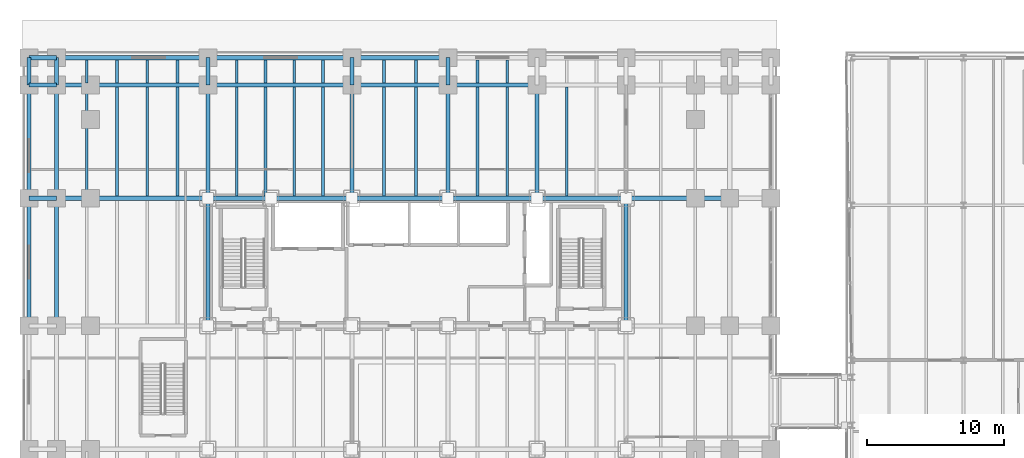
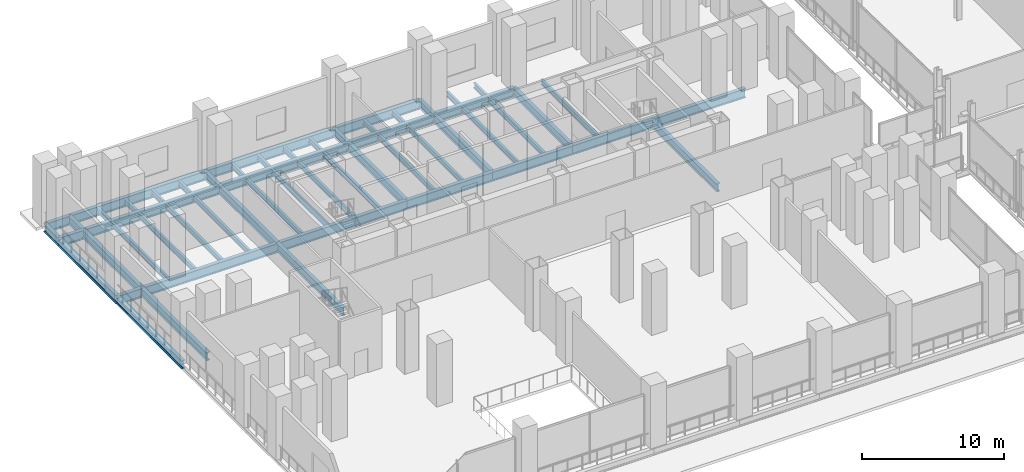
# One storey, part 15 of 32: 56 beams.
"""IFC4 building model written with IfcOpenShell, lengths in metres."""

from ifc_helpers import new_model, si_unit, direction, frame, origin, origin_2d, place, context, subcontext, project, spatial, i_section, extrude, material, material_profile, profile_set, type_object, element, save


model = new_model("IFC4")

# Units and contexts
model_context = context("Model", 3, precision=1e-05, world=origin(), true_north=direction((0.0, 1.0)))
body_context = subcontext(model_context, "Body", "Model", "MODEL_VIEW")
ifc_project = project(units=[si_unit("LENGTHUNIT", "METRE"), si_unit("AREAUNIT", "SQUARE_METRE"), si_unit("VOLUMEUNIT", "CUBIC_METRE"), si_unit("PLANEANGLEUNIT", "RADIAN"), si_unit("MASSUNIT", "GRAM", prefix="KILO")], contexts=[model_context])

# Site, building, storey
site_placement = place(None, origin())
site = spatial("IfcSite", under=ifc_project, at=site_placement, CompositionType="ELEMENT")
building_placement = place(site_placement, origin())
building = spatial("IfcBuilding", under=site, at=building_placement, Name="Noeulbin Bourse Tower", CompositionType="ELEMENT")
storey_placement = place(building_placement, frame((0.0, 0.0, 5.800048828125)))
storey = spatial("IfcBuildingStorey", under=building, at=storey_placement, Name="L02", CompositionType="ELEMENT", Elevation=5.800048828125)

# Beams
ifc_material = material(Name="Steel S355", Category="steel")
ifc_material_profile_1 = material_profile(ifc_material, i_section(OverallWidth=0.300048828125, OverallDepth=0.699951171875, WebThickness=0.012939453125, FlangeThickness=0.02392578125, FilletRadius=0.02392578125, at=origin_2d()), Name="H-700x300x13x24", Category="LoadBearing")
ifc_profile_set_1 = profile_set([ifc_material_profile_1], Name="Steel S355")
beam_type_1 = type_object("IfcBeamType", Name="BM-GRD-700", PredefinedType="USERDEFINED", material=ifc_profile_set_1)
beam_1_placement = place(storey_placement, frame((0.449951171875, 29.0, -0.60009765625), z_axis=(0.0, 1.0, 0.0), x_axis=(-1.0, 0.0, 0.0)))
element("IfcBeam", 1, at=beam_1_placement, inside=storey, type_object=beam_type_1, Name="Podium Primary Girder NS L02-060", ObjectType="GIRDER", PredefinedType="USERDEFINED", context=body_context, shape_type="SweptSolid", body=[
    extrude(i_section(OverallWidth=0.300048828125, OverallDepth=0.699951171875, WebThickness=0.012939453125, FlangeThickness=0.02392578125, FilletRadius=0.02392578125, at=origin_2d()), origin(), (0.0, 0.0, 1.0), 9.300048828125),
])
beam_2_placement = place(storey_placement, frame((0.449951171875, 38.300048828125, -0.60009765625), z_axis=(0.0, 1.0, 0.0), x_axis=(-1.0, 0.0, 0.0)))
element("IfcBeam", 2, at=beam_2_placement, inside=storey, type_object=beam_type_1, Name="Podium Primary Girder NS L02-061", ObjectType="GIRDER", PredefinedType="USERDEFINED", context=body_context, shape_type="SweptSolid", body=[
    extrude(i_section(OverallWidth=0.300048828125, OverallDepth=0.699951171875, WebThickness=0.012939453125, FlangeThickness=0.02392578125, FilletRadius=0.02392578125, at=origin_2d()), origin(), (0.0, 0.0, 1.0), 8.25),
])
beam_3_placement = place(storey_placement, frame((0.449951171875, 46.550048828125, -0.60009765625), z_axis=(0.0, 1.0, 0.0), x_axis=(-1.0, 0.0, 0.0)))
element("IfcBeam", 3, at=beam_3_placement, inside=storey, type_object=beam_type_1, Name="Podium Primary Girder NS L02-062", ObjectType="GIRDER", PredefinedType="USERDEFINED", context=body_context, shape_type="SweptSolid", body=[
    extrude(i_section(OverallWidth=0.300048828125, OverallDepth=0.699951171875, WebThickness=0.012939453125, FlangeThickness=0.02392578125, FilletRadius=0.02392578125, at=origin_2d()), origin(), (0.0, 0.0, 1.0), 2.0),
])
beam_4_placement = place(storey_placement, frame((2.449951171875, 29.0, -0.60009765625), z_axis=(0.0, 1.0, 0.0), x_axis=(-1.0, 0.0, 0.0)))
element("IfcBeam", 4, at=beam_4_placement, inside=storey, type_object=beam_type_1, Name="Podium Primary Girder NS L02-066", ObjectType="GIRDER", PredefinedType="USERDEFINED", context=body_context, shape_type="SweptSolid", body=[
    extrude(i_section(OverallWidth=0.300048828125, OverallDepth=0.699951171875, WebThickness=0.012939453125, FlangeThickness=0.02392578125, FilletRadius=0.02392578125, at=origin_2d()), origin(), (0.0, 0.0, 1.0), 9.300048828125),
])
beam_5_placement = place(storey_placement, frame((2.449951171875, 38.300048828125, -0.60009765625), z_axis=(0.0, 1.0, 0.0), x_axis=(-1.0, 0.0, 0.0)))
element("IfcBeam", 5, at=beam_5_placement, inside=storey, type_object=beam_type_1, Name="Podium Primary Girder NS L02-067", ObjectType="GIRDER", PredefinedType="USERDEFINED", context=body_context, shape_type="SweptSolid", body=[
    extrude(i_section(OverallWidth=0.300048828125, OverallDepth=0.699951171875, WebThickness=0.012939453125, FlangeThickness=0.02392578125, FilletRadius=0.02392578125, at=origin_2d()), origin(), (0.0, 0.0, 1.0), 8.25),
])
beam_6_placement = place(storey_placement, frame((2.449951171875, 46.550048828125, -0.60009765625), z_axis=(0.0, 1.0, 0.0), x_axis=(-1.0, 0.0, 0.0)))
element("IfcBeam", 6, at=beam_6_placement, inside=storey, type_object=beam_type_1, Name="Podium Primary Girder NS L02-068", ObjectType="GIRDER", PredefinedType="USERDEFINED", context=body_context, shape_type="SweptSolid", body=[
    extrude(i_section(OverallWidth=0.300048828125, OverallDepth=0.699951171875, WebThickness=0.012939453125, FlangeThickness=0.02392578125, FilletRadius=0.02392578125, at=origin_2d()), origin(), (0.0, 0.0, 1.0), 2.0),
])
beam_7_placement = place(storey_placement, frame((13.5, 29.0, -0.60009765625), z_axis=(0.0, 1.0, 0.0), x_axis=(-1.0, 0.0, 0.0)))
element("IfcBeam", 7, at=beam_7_placement, inside=storey, type_object=beam_type_1, Name="Podium Primary Girder NS L02-072", ObjectType="GIRDER", PredefinedType="USERDEFINED", context=body_context, shape_type="SweptSolid", body=[
    extrude(i_section(OverallWidth=0.300048828125, OverallDepth=0.699951171875, WebThickness=0.012939453125, FlangeThickness=0.02392578125, FilletRadius=0.02392578125, at=origin_2d()), origin(), (0.0, 0.0, 1.0), 9.300048828125),
])
beam_8_placement = place(storey_placement, frame((13.5, 38.300048828125, -0.60009765625), z_axis=(0.0, 1.0, 0.0), x_axis=(-1.0, 0.0, 0.0)))
element("IfcBeam", 8, at=beam_8_placement, inside=storey, type_object=beam_type_1, Name="Podium Primary Girder NS L02-073", ObjectType="GIRDER", PredefinedType="USERDEFINED", context=body_context, shape_type="SweptSolid", body=[
    extrude(i_section(OverallWidth=0.300048828125, OverallDepth=0.699951171875, WebThickness=0.012939453125, FlangeThickness=0.02392578125, FilletRadius=0.02392578125, at=origin_2d()), origin(), (0.0, 0.0, 1.0), 8.25),
])
beam_9_placement = place(storey_placement, frame((13.5, 46.550048828125, -0.60009765625), z_axis=(0.0, 1.0, 0.0), x_axis=(-1.0, 0.0, 0.0)))
element("IfcBeam", 9, at=beam_9_placement, inside=storey, type_object=beam_type_1, Name="Podium Primary Girder NS L02-074", ObjectType="GIRDER", PredefinedType="USERDEFINED", context=body_context, shape_type="SweptSolid", body=[
    extrude(i_section(OverallWidth=0.300048828125, OverallDepth=0.699951171875, WebThickness=0.012939453125, FlangeThickness=0.02392578125, FilletRadius=0.02392578125, at=origin_2d()), origin(), (0.0, 0.0, 1.0), 2.0),
])
beam_10_placement = place(storey_placement, frame((24.0, 38.300048828125, -0.60009765625), z_axis=(0.0, 1.0, 0.0), x_axis=(-1.0, 0.0, 0.0)))
element("IfcBeam", 10, at=beam_10_placement, inside=storey, type_object=beam_type_1, Name="Podium Primary Girder NS L02-078", ObjectType="GIRDER", PredefinedType="USERDEFINED", context=body_context, shape_type="SweptSolid", body=[
    extrude(i_section(OverallWidth=0.300048828125, OverallDepth=0.699951171875, WebThickness=0.012939453125, FlangeThickness=0.02392578125, FilletRadius=0.02392578125, at=origin_2d()), origin(), (0.0, 0.0, 1.0), 8.25),
])
beam_11_placement = place(storey_placement, frame((24.0, 46.550048828125, -0.60009765625), z_axis=(0.0, 1.0, 0.0), x_axis=(-1.0, 0.0, 0.0)))
element("IfcBeam", 11, at=beam_11_placement, inside=storey, type_object=beam_type_1, Name="Podium Primary Girder NS L02-079", ObjectType="GIRDER", PredefinedType="USERDEFINED", context=body_context, shape_type="SweptSolid", body=[
    extrude(i_section(OverallWidth=0.300048828125, OverallDepth=0.699951171875, WebThickness=0.012939453125, FlangeThickness=0.02392578125, FilletRadius=0.02392578125, at=origin_2d()), origin(), (0.0, 0.0, 1.0), 2.0),
])
beam_12_placement = place(storey_placement, frame((31.0, 38.300048828125, -0.60009765625), z_axis=(0.0, 1.0, 0.0), x_axis=(-1.0, 0.0, 0.0)))
element("IfcBeam", 12, at=beam_12_placement, inside=storey, type_object=beam_type_1, Name="Podium Primary Girder NS L02-083", ObjectType="GIRDER", PredefinedType="USERDEFINED", context=body_context, shape_type="SweptSolid", body=[
    extrude(i_section(OverallWidth=0.300048828125, OverallDepth=0.699951171875, WebThickness=0.012939453125, FlangeThickness=0.02392578125, FilletRadius=0.02392578125, at=origin_2d()), origin(), (0.0, 0.0, 1.0), 8.25),
])
beam_13_placement = place(storey_placement, frame((31.0, 46.550048828125, -0.60009765625), z_axis=(0.0, 1.0, 0.0), x_axis=(-1.0, 0.0, 0.0)))
element("IfcBeam", 13, at=beam_13_placement, inside=storey, type_object=beam_type_1, Name="Podium Primary Girder NS L02-084", ObjectType="GIRDER", PredefinedType="USERDEFINED", context=body_context, shape_type="SweptSolid", body=[
    extrude(i_section(OverallWidth=0.300048828125, OverallDepth=0.699951171875, WebThickness=0.012939453125, FlangeThickness=0.02392578125, FilletRadius=0.02392578125, at=origin_2d()), origin(), (0.0, 0.0, 1.0), 2.0),
])
beam_14_placement = place(storey_placement, frame((37.5, 38.300048828125, -0.60009765625), z_axis=(0.0, 1.0, 0.0), x_axis=(-1.0, 0.0, 0.0)))
element("IfcBeam", 14, at=beam_14_placement, inside=storey, type_object=beam_type_1, Name="Podium Primary Girder NS L02-088", ObjectType="GIRDER", PredefinedType="USERDEFINED", context=body_context, shape_type="SweptSolid", body=[
    extrude(i_section(OverallWidth=0.300048828125, OverallDepth=0.699951171875, WebThickness=0.012939453125, FlangeThickness=0.02392578125, FilletRadius=0.02392578125, at=origin_2d()), origin(), (0.0, 0.0, 1.0), 8.25),
])
beam_15_placement = place(storey_placement, frame((44.0, 29.0, -0.60009765625), z_axis=(0.0, 1.0, 0.0), x_axis=(-1.0, 0.0, 0.0)))
element("IfcBeam", 15, at=beam_15_placement, inside=storey, type_object=beam_type_1, Name="Podium Primary Girder NS L02-093", ObjectType="GIRDER", PredefinedType="USERDEFINED", context=body_context, shape_type="SweptSolid", body=[
    extrude(i_section(OverallWidth=0.300048828125, OverallDepth=0.699951171875, WebThickness=0.012939453125, FlangeThickness=0.02392578125, FilletRadius=0.02392578125, at=origin_2d()), origin(), (0.0, 0.0, 1.0), 9.300048828125),
])
ifc_material_profile_2 = material_profile(ifc_material, i_section(OverallWidth=0.300048828125, OverallDepth=0.800048828125, WebThickness=0.013916015625, FlangeThickness=0.02587890625, FilletRadius=0.02587890625, at=origin_2d()), Name="H-800x300x14x26", Category="LoadBearing")
ifc_profile_set_2 = profile_set([ifc_material_profile_2], Name="Steel S355")
beam_type_2 = type_object("IfcBeamType", Name="BM-GRD-800", PredefinedType="USERDEFINED", material=ifc_profile_set_2)
beam_16_placement = place(storey_placement, frame((0.449951171875, 38.300048828125, -0.650146484375), z_axis=(1.0, 0.0, 0.0), x_axis=(0.0, 1.0, 0.0)))
element("IfcBeam", 16, at=beam_16_placement, inside=storey, type_object=beam_type_2, Name="Podium Primary Girder EW L02-033", ObjectType="GIRDER", PredefinedType="USERDEFINED", context=body_context, shape_type="SweptSolid", body=[
    extrude(i_section(OverallWidth=0.300048828125, OverallDepth=0.800048828125, WebThickness=0.013916015625, FlangeThickness=0.02587890625, FilletRadius=0.02587890625, at=origin_2d()), origin(), (0.0, 0.0, 1.0), 2.0),
])
beam_17_placement = place(storey_placement, frame((2.449951171875, 38.300048828125, -0.650146484375), z_axis=(1.0, 0.0, 0.0), x_axis=(0.0, 1.0, 0.0)))
element("IfcBeam", 17, at=beam_17_placement, inside=storey, type_object=beam_type_2, Name="Podium Primary Girder EW L02-034", ObjectType="GIRDER", PredefinedType="USERDEFINED", context=body_context, shape_type="SweptSolid", body=[
    extrude(i_section(OverallWidth=0.300048828125, OverallDepth=0.800048828125, WebThickness=0.013916015625, FlangeThickness=0.02587890625, FilletRadius=0.02587890625, at=origin_2d()), origin(), (0.0, 0.0, 1.0), 11.050048828125),
])
beam_18_placement = place(storey_placement, frame((13.5, 38.300048828125, -0.650146484375), z_axis=(1.0, 0.0, 0.0), x_axis=(0.0, 1.0, 0.0)))
element("IfcBeam", 18, at=beam_18_placement, inside=storey, type_object=beam_type_2, Name="Podium Primary Girder EW L02-035", ObjectType="GIRDER", PredefinedType="USERDEFINED", context=body_context, shape_type="SweptSolid", body=[
    extrude(i_section(OverallWidth=0.300048828125, OverallDepth=0.800048828125, WebThickness=0.013916015625, FlangeThickness=0.02587890625, FilletRadius=0.02587890625, at=origin_2d()), origin(), (0.0, 0.0, 1.0), 10.5),
])
beam_19_placement = place(storey_placement, frame((24.0, 38.300048828125, -0.650146484375), z_axis=(1.0, 0.0, 0.0), x_axis=(0.0, 1.0, 0.0)))
element("IfcBeam", 19, at=beam_19_placement, inside=storey, type_object=beam_type_2, Name="Podium Primary Girder EW L02-036", ObjectType="GIRDER", PredefinedType="USERDEFINED", context=body_context, shape_type="SweptSolid", body=[
    extrude(i_section(OverallWidth=0.300048828125, OverallDepth=0.800048828125, WebThickness=0.013916015625, FlangeThickness=0.02587890625, FilletRadius=0.02587890625, at=origin_2d()), origin(), (0.0, 0.0, 1.0), 7.0),
])
for number, where, z_axis, x_axis, name in (
    (20, (31.0, 38.300048828125, -0.650146484375), (1.0, 0.0, 0.0), (0.0, 1.0, 0.0), "Podium Primary Girder EW L02-037"),
    (21, (37.5, 38.300048828125, -0.650146484375), (1.0, 0.0, 0.0), (0.0, 1.0, 0.0), "Podium Primary Girder EW L02-038"),
):
    element("IfcBeam", number, at=place(storey_placement, frame(where, z_axis=z_axis, x_axis=x_axis)), inside=storey, type_object=beam_type_2, Name=name, ObjectType="GIRDER", PredefinedType="USERDEFINED", context=body_context, shape_type="SweptSolid", body=[
        extrude(i_section(OverallWidth=0.300048828125, OverallDepth=0.800048828125, WebThickness=0.013916015625, FlangeThickness=0.02587890625, FilletRadius=0.02587890625, at=origin_2d()), origin(), (0.0, 0.0, 1.0), 6.5),
    ])
beam_20_placement = place(storey_placement, frame((44.0, 38.300048828125, -0.650146484375), z_axis=(1.0, 0.0, 0.0), x_axis=(0.0, 1.0, 0.0)))
element("IfcBeam", 22, at=beam_20_placement, inside=storey, type_object=beam_type_2, Name="Podium Primary Girder EW L02-039", ObjectType="GIRDER", PredefinedType="USERDEFINED", context=body_context, shape_type="SweptSolid", body=[
    extrude(i_section(OverallWidth=0.300048828125, OverallDepth=0.800048828125, WebThickness=0.013916015625, FlangeThickness=0.02587890625, FilletRadius=0.02587890625, at=origin_2d()), origin(), (0.0, 0.0, 1.0), 7.550048828125),
])
beam_21_placement = place(storey_placement, frame((0.449951171875, 46.550048828125, -0.650146484375), z_axis=(1.0, 0.0, 0.0), x_axis=(0.0, 1.0, 0.0)))
element("IfcBeam", 23, at=beam_21_placement, inside=storey, type_object=beam_type_2, Name="Podium Primary Girder EW L02-041", ObjectType="GIRDER", PredefinedType="USERDEFINED", context=body_context, shape_type="SweptSolid", body=[
    extrude(i_section(OverallWidth=0.300048828125, OverallDepth=0.800048828125, WebThickness=0.013916015625, FlangeThickness=0.02587890625, FilletRadius=0.02587890625, at=origin_2d()), origin(), (0.0, 0.0, 1.0), 2.0),
])
beam_22_placement = place(storey_placement, frame((2.449951171875, 46.550048828125, -0.650146484375), z_axis=(1.0, 0.0, 0.0), x_axis=(0.0, 1.0, 0.0)))
element("IfcBeam", 24, at=beam_22_placement, inside=storey, type_object=beam_type_2, Name="Podium Primary Girder EW L02-042", ObjectType="GIRDER", PredefinedType="USERDEFINED", context=body_context, shape_type="SweptSolid", body=[
    extrude(i_section(OverallWidth=0.300048828125, OverallDepth=0.800048828125, WebThickness=0.013916015625, FlangeThickness=0.02587890625, FilletRadius=0.02587890625, at=origin_2d()), origin(), (0.0, 0.0, 1.0), 11.050048828125),
])
beam_23_placement = place(storey_placement, frame((13.5, 46.550048828125, -0.650146484375), z_axis=(1.0, 0.0, 0.0), x_axis=(0.0, 1.0, 0.0)))
element("IfcBeam", 25, at=beam_23_placement, inside=storey, type_object=beam_type_2, Name="Podium Primary Girder EW L02-043", ObjectType="GIRDER", PredefinedType="USERDEFINED", context=body_context, shape_type="SweptSolid", body=[
    extrude(i_section(OverallWidth=0.300048828125, OverallDepth=0.800048828125, WebThickness=0.013916015625, FlangeThickness=0.02587890625, FilletRadius=0.02587890625, at=origin_2d()), origin(), (0.0, 0.0, 1.0), 10.5),
])
beam_24_placement = place(storey_placement, frame((24.0, 46.550048828125, -0.650146484375), z_axis=(1.0, 0.0, 0.0), x_axis=(0.0, 1.0, 0.0)))
element("IfcBeam", 26, at=beam_24_placement, inside=storey, type_object=beam_type_2, Name="Podium Primary Girder EW L02-044", ObjectType="GIRDER", PredefinedType="USERDEFINED", context=body_context, shape_type="SweptSolid", body=[
    extrude(i_section(OverallWidth=0.300048828125, OverallDepth=0.800048828125, WebThickness=0.013916015625, FlangeThickness=0.02587890625, FilletRadius=0.02587890625, at=origin_2d()), origin(), (0.0, 0.0, 1.0), 7.0),
])
beam_25_placement = place(storey_placement, frame((31.0, 46.550048828125, -0.650146484375), z_axis=(1.0, 0.0, 0.0), x_axis=(0.0, 1.0, 0.0)))
element("IfcBeam", 27, at=beam_25_placement, inside=storey, type_object=beam_type_2, Name="Podium Primary Girder EW L02-045", ObjectType="GIRDER", PredefinedType="USERDEFINED", context=body_context, shape_type="SweptSolid", body=[
    extrude(i_section(OverallWidth=0.300048828125, OverallDepth=0.800048828125, WebThickness=0.013916015625, FlangeThickness=0.02587890625, FilletRadius=0.02587890625, at=origin_2d()), origin(), (0.0, 0.0, 1.0), 6.5),
])
beam_26_placement = place(storey_placement, frame((0.449951171875, 48.550048828125, -0.650146484375), z_axis=(1.0, 0.0, 0.0), x_axis=(0.0, 1.0, 0.0)))
element("IfcBeam", 28, at=beam_26_placement, inside=storey, type_object=beam_type_2, Name="Podium Primary Girder EW L02-049", ObjectType="GIRDER", PredefinedType="USERDEFINED", context=body_context, shape_type="SweptSolid", body=[
    extrude(i_section(OverallWidth=0.300048828125, OverallDepth=0.800048828125, WebThickness=0.013916015625, FlangeThickness=0.02587890625, FilletRadius=0.02587890625, at=origin_2d()), origin(), (0.0, 0.0, 1.0), 2.0),
])
beam_27_placement = place(storey_placement, frame((2.449951171875, 48.550048828125, -0.650146484375), z_axis=(1.0, 0.0, 0.0), x_axis=(0.0, 1.0, 0.0)))
element("IfcBeam", 29, at=beam_27_placement, inside=storey, type_object=beam_type_2, Name="Podium Primary Girder EW L02-050", ObjectType="GIRDER", PredefinedType="USERDEFINED", context=body_context, shape_type="SweptSolid", body=[
    extrude(i_section(OverallWidth=0.300048828125, OverallDepth=0.800048828125, WebThickness=0.013916015625, FlangeThickness=0.02587890625, FilletRadius=0.02587890625, at=origin_2d()), origin(), (0.0, 0.0, 1.0), 11.050048828125),
])
beam_28_placement = place(storey_placement, frame((13.5, 48.550048828125, -0.650146484375), z_axis=(1.0, 0.0, 0.0), x_axis=(0.0, 1.0, 0.0)))
element("IfcBeam", 30, at=beam_28_placement, inside=storey, type_object=beam_type_2, Name="Podium Primary Girder EW L02-051", ObjectType="GIRDER", PredefinedType="USERDEFINED", context=body_context, shape_type="SweptSolid", body=[
    extrude(i_section(OverallWidth=0.300048828125, OverallDepth=0.800048828125, WebThickness=0.013916015625, FlangeThickness=0.02587890625, FilletRadius=0.02587890625, at=origin_2d()), origin(), (0.0, 0.0, 1.0), 10.5),
])
beam_29_placement = place(storey_placement, frame((24.0, 48.550048828125, -0.650146484375), z_axis=(1.0, 0.0, 0.0), x_axis=(0.0, 1.0, 0.0)))
element("IfcBeam", 31, at=beam_29_placement, inside=storey, type_object=beam_type_2, Name="Podium Primary Girder EW L02-052", ObjectType="GIRDER", PredefinedType="USERDEFINED", context=body_context, shape_type="SweptSolid", body=[
    extrude(i_section(OverallWidth=0.300048828125, OverallDepth=0.800048828125, WebThickness=0.013916015625, FlangeThickness=0.02587890625, FilletRadius=0.02587890625, at=origin_2d()), origin(), (0.0, 0.0, 1.0), 7.0),
])
ifc_material_profile_3 = material_profile(ifc_material, i_section(OverallWidth=0.199951171875, OverallDepth=0.449951171875, WebThickness=0.009033203125, FlangeThickness=0.013916015625, FilletRadius=0.01806640625, at=origin_2d()), Name="H-450x200x9x14", Category="LoadBearing")
ifc_profile_set_3 = profile_set([ifc_material_profile_3], Name="Steel S355")
beam_type_3 = type_object("IfcBeamType", Name="BM-SEC-450", PredefinedType="BEAM", material=ifc_profile_set_3)
beam_30_placement = place(storey_placement, frame((4.659912109375, 38.449951171875, -0.47509765625), z_axis=(0.0, 1.0, 0.0), x_axis=(-1.0, 0.0, 0.0)))
element("IfcBeam", 32, at=beam_30_placement, inside=storey, type_object=beam_type_3, Name="Podium Secondary Beam L02-005", PredefinedType="BEAM", context=body_context, shape_type="SweptSolid", body=[
    extrude(i_section(OverallWidth=0.199951171875, OverallDepth=0.449951171875, WebThickness=0.009033203125, FlangeThickness=0.013916015625, FilletRadius=0.01806640625, at=origin_2d()), origin(), (0.0, 0.0, 1.0), 7.949951171875),
])
beam_31_placement = place(storey_placement, frame((4.659912109375, 46.699951171875, -0.47509765625), z_axis=(0.0, 1.0, 0.0), x_axis=(-1.0, 0.0, 0.0)))
element("IfcBeam", 33, at=beam_31_placement, inside=storey, type_object=beam_type_3, Name="Podium Secondary Beam L02-006", PredefinedType="BEAM", context=body_context, shape_type="SweptSolid", body=[
    extrude(i_section(OverallWidth=0.199951171875, OverallDepth=0.449951171875, WebThickness=0.009033203125, FlangeThickness=0.013916015625, FilletRadius=0.01806640625, at=origin_2d()), origin(), (0.0, 0.0, 1.0), 1.699951171875),
])
beam_32_placement = place(storey_placement, frame((6.8701171875, 38.449951171875, -0.47509765625), z_axis=(0.0, 1.0, 0.0), x_axis=(-1.0, 0.0, 0.0)))
element("IfcBeam", 34, at=beam_32_placement, inside=storey, type_object=beam_type_3, Name="Podium Secondary Beam L02-011", PredefinedType="BEAM", context=body_context, shape_type="SweptSolid", body=[
    extrude(i_section(OverallWidth=0.199951171875, OverallDepth=0.449951171875, WebThickness=0.009033203125, FlangeThickness=0.013916015625, FilletRadius=0.01806640625, at=origin_2d()), origin(), (0.0, 0.0, 1.0), 7.949951171875),
])
beam_33_placement = place(storey_placement, frame((6.8701171875, 46.699951171875, -0.47509765625), z_axis=(0.0, 1.0, 0.0), x_axis=(-1.0, 0.0, 0.0)))
element("IfcBeam", 35, at=beam_33_placement, inside=storey, type_object=beam_type_3, Name="Podium Secondary Beam L02-012", PredefinedType="BEAM", context=body_context, shape_type="SweptSolid", body=[
    extrude(i_section(OverallWidth=0.199951171875, OverallDepth=0.449951171875, WebThickness=0.009033203125, FlangeThickness=0.013916015625, FilletRadius=0.01806640625, at=origin_2d()), origin(), (0.0, 0.0, 1.0), 1.699951171875),
])
beam_34_placement = place(storey_placement, frame((9.080078125, 38.449951171875, -0.47509765625), z_axis=(0.0, 1.0, 0.0), x_axis=(-1.0, 0.0, 0.0)))
element("IfcBeam", 36, at=beam_34_placement, inside=storey, type_object=beam_type_3, Name="Podium Secondary Beam L02-016", PredefinedType="BEAM", context=body_context, shape_type="SweptSolid", body=[
    extrude(i_section(OverallWidth=0.199951171875, OverallDepth=0.449951171875, WebThickness=0.009033203125, FlangeThickness=0.013916015625, FilletRadius=0.01806640625, at=origin_2d()), origin(), (0.0, 0.0, 1.0), 7.949951171875),
])
beam_35_placement = place(storey_placement, frame((9.080078125, 46.699951171875, -0.47509765625), z_axis=(0.0, 1.0, 0.0), x_axis=(-1.0, 0.0, 0.0)))
element("IfcBeam", 37, at=beam_35_placement, inside=storey, type_object=beam_type_3, Name="Podium Secondary Beam L02-017", PredefinedType="BEAM", context=body_context, shape_type="SweptSolid", body=[
    extrude(i_section(OverallWidth=0.199951171875, OverallDepth=0.449951171875, WebThickness=0.009033203125, FlangeThickness=0.013916015625, FilletRadius=0.01806640625, at=origin_2d()), origin(), (0.0, 0.0, 1.0), 1.699951171875),
])
beam_36_placement = place(storey_placement, frame((11.2900390625, 38.449951171875, -0.47509765625), z_axis=(0.0, 1.0, 0.0), x_axis=(-1.0, 0.0, 0.0)))
element("IfcBeam", 38, at=beam_36_placement, inside=storey, type_object=beam_type_3, Name="Podium Secondary Beam L02-021", PredefinedType="BEAM", context=body_context, shape_type="SweptSolid", body=[
    extrude(i_section(OverallWidth=0.199951171875, OverallDepth=0.449951171875, WebThickness=0.009033203125, FlangeThickness=0.013916015625, FilletRadius=0.01806640625, at=origin_2d()), origin(), (0.0, 0.0, 1.0), 7.949951171875),
])
beam_37_placement = place(storey_placement, frame((11.2900390625, 46.699951171875, -0.47509765625), z_axis=(0.0, 1.0, 0.0), x_axis=(-1.0, 0.0, 0.0)))
element("IfcBeam", 39, at=beam_37_placement, inside=storey, type_object=beam_type_3, Name="Podium Secondary Beam L02-022", PredefinedType="BEAM", context=body_context, shape_type="SweptSolid", body=[
    extrude(i_section(OverallWidth=0.199951171875, OverallDepth=0.449951171875, WebThickness=0.009033203125, FlangeThickness=0.013916015625, FilletRadius=0.01806640625, at=origin_2d()), origin(), (0.0, 0.0, 1.0), 1.699951171875),
])
beam_38_placement = place(storey_placement, frame((15.60009765625, 38.449951171875, -0.47509765625), z_axis=(0.0, 1.0, 0.0), x_axis=(-1.0, 0.0, 0.0)))
element("IfcBeam", 40, at=beam_38_placement, inside=storey, type_object=beam_type_3, Name="Podium Secondary Beam L02-025", PredefinedType="BEAM", context=body_context, shape_type="SweptSolid", body=[
    extrude(i_section(OverallWidth=0.199951171875, OverallDepth=0.449951171875, WebThickness=0.009033203125, FlangeThickness=0.013916015625, FilletRadius=0.01806640625, at=origin_2d()), origin(), (0.0, 0.0, 1.0), 7.949951171875),
])
beam_39_placement = place(storey_placement, frame((15.60009765625, 46.699951171875, -0.47509765625), z_axis=(0.0, 1.0, 0.0), x_axis=(-1.0, 0.0, 0.0)))
element("IfcBeam", 41, at=beam_39_placement, inside=storey, type_object=beam_type_3, Name="Podium Secondary Beam L02-026", PredefinedType="BEAM", context=body_context, shape_type="SweptSolid", body=[
    extrude(i_section(OverallWidth=0.199951171875, OverallDepth=0.449951171875, WebThickness=0.009033203125, FlangeThickness=0.013916015625, FilletRadius=0.01806640625, at=origin_2d()), origin(), (0.0, 0.0, 1.0), 1.699951171875),
])
beam_40_placement = place(storey_placement, frame((17.699951171875, 38.449951171875, -0.47509765625), z_axis=(0.0, 1.0, 0.0), x_axis=(-1.0, 0.0, 0.0)))
element("IfcBeam", 42, at=beam_40_placement, inside=storey, type_object=beam_type_3, Name="Podium Secondary Beam L02-029", PredefinedType="BEAM", context=body_context, shape_type="SweptSolid", body=[
    extrude(i_section(OverallWidth=0.199951171875, OverallDepth=0.449951171875, WebThickness=0.009033203125, FlangeThickness=0.013916015625, FilletRadius=0.01806640625, at=origin_2d()), origin(), (0.0, 0.0, 1.0), 7.949951171875),
])
beam_41_placement = place(storey_placement, frame((17.699951171875, 46.699951171875, -0.47509765625), z_axis=(0.0, 1.0, 0.0), x_axis=(-1.0, 0.0, 0.0)))
element("IfcBeam", 43, at=beam_41_placement, inside=storey, type_object=beam_type_3, Name="Podium Secondary Beam L02-030", PredefinedType="BEAM", context=body_context, shape_type="SweptSolid", body=[
    extrude(i_section(OverallWidth=0.199951171875, OverallDepth=0.449951171875, WebThickness=0.009033203125, FlangeThickness=0.013916015625, FilletRadius=0.01806640625, at=origin_2d()), origin(), (0.0, 0.0, 1.0), 1.699951171875),
])
beam_42_placement = place(storey_placement, frame((19.800048828125, 38.449951171875, -0.47509765625), z_axis=(0.0, 1.0, 0.0), x_axis=(-1.0, 0.0, 0.0)))
element("IfcBeam", 44, at=beam_42_placement, inside=storey, type_object=beam_type_3, Name="Podium Secondary Beam L02-033", PredefinedType="BEAM", context=body_context, shape_type="SweptSolid", body=[
    extrude(i_section(OverallWidth=0.199951171875, OverallDepth=0.449951171875, WebThickness=0.009033203125, FlangeThickness=0.013916015625, FilletRadius=0.01806640625, at=origin_2d()), origin(), (0.0, 0.0, 1.0), 7.949951171875),
])
beam_43_placement = place(storey_placement, frame((19.800048828125, 46.699951171875, -0.47509765625), z_axis=(0.0, 1.0, 0.0), x_axis=(-1.0, 0.0, 0.0)))
element("IfcBeam", 45, at=beam_43_placement, inside=storey, type_object=beam_type_3, Name="Podium Secondary Beam L02-034", PredefinedType="BEAM", context=body_context, shape_type="SweptSolid", body=[
    extrude(i_section(OverallWidth=0.199951171875, OverallDepth=0.449951171875, WebThickness=0.009033203125, FlangeThickness=0.013916015625, FilletRadius=0.01806640625, at=origin_2d()), origin(), (0.0, 0.0, 1.0), 1.699951171875),
])
beam_44_placement = place(storey_placement, frame((21.89990234375, 38.449951171875, -0.47509765625), z_axis=(0.0, 1.0, 0.0), x_axis=(-1.0, 0.0, 0.0)))
element("IfcBeam", 46, at=beam_44_placement, inside=storey, type_object=beam_type_3, Name="Podium Secondary Beam L02-037", PredefinedType="BEAM", context=body_context, shape_type="SweptSolid", body=[
    extrude(i_section(OverallWidth=0.199951171875, OverallDepth=0.449951171875, WebThickness=0.009033203125, FlangeThickness=0.013916015625, FilletRadius=0.01806640625, at=origin_2d()), origin(), (0.0, 0.0, 1.0), 7.949951171875),
])
beam_45_placement = place(storey_placement, frame((21.89990234375, 46.699951171875, -0.47509765625), z_axis=(0.0, 1.0, 0.0), x_axis=(-1.0, 0.0, 0.0)))
element("IfcBeam", 47, at=beam_45_placement, inside=storey, type_object=beam_type_3, Name="Podium Secondary Beam L02-038", PredefinedType="BEAM", context=body_context, shape_type="SweptSolid", body=[
    extrude(i_section(OverallWidth=0.199951171875, OverallDepth=0.449951171875, WebThickness=0.009033203125, FlangeThickness=0.013916015625, FilletRadius=0.01806640625, at=origin_2d()), origin(), (0.0, 0.0, 1.0), 1.699951171875),
])
beam_46_placement = place(storey_placement, frame((26.333251953125, 38.449951171875, -0.47509765625), z_axis=(0.0, 1.0, 0.0), x_axis=(-1.0, 0.0, 0.0)))
element("IfcBeam", 48, at=beam_46_placement, inside=storey, type_object=beam_type_3, Name="Podium Secondary Beam L02-042", PredefinedType="BEAM", context=body_context, shape_type="SweptSolid", body=[
    extrude(i_section(OverallWidth=0.199951171875, OverallDepth=0.449951171875, WebThickness=0.009033203125, FlangeThickness=0.013916015625, FilletRadius=0.01806640625, at=origin_2d()), origin(), (0.0, 0.0, 1.0), 7.949951171875),
])
beam_47_placement = place(storey_placement, frame((26.333251953125, 46.699951171875, -0.47509765625), z_axis=(0.0, 1.0, 0.0), x_axis=(-1.0, 0.0, 0.0)))
element("IfcBeam", 49, at=beam_47_placement, inside=storey, type_object=beam_type_3, Name="Podium Secondary Beam L02-043", PredefinedType="BEAM", context=body_context, shape_type="SweptSolid", body=[
    extrude(i_section(OverallWidth=0.199951171875, OverallDepth=0.449951171875, WebThickness=0.009033203125, FlangeThickness=0.013916015625, FilletRadius=0.01806640625, at=origin_2d()), origin(), (0.0, 0.0, 1.0), 1.699951171875),
])
beam_48_placement = place(storey_placement, frame((28.666748046875, 38.449951171875, -0.47509765625), z_axis=(0.0, 1.0, 0.0), x_axis=(-1.0, 0.0, 0.0)))
element("IfcBeam", 50, at=beam_48_placement, inside=storey, type_object=beam_type_3, Name="Podium Secondary Beam L02-047", PredefinedType="BEAM", context=body_context, shape_type="SweptSolid", body=[
    extrude(i_section(OverallWidth=0.199951171875, OverallDepth=0.449951171875, WebThickness=0.009033203125, FlangeThickness=0.013916015625, FilletRadius=0.01806640625, at=origin_2d()), origin(), (0.0, 0.0, 1.0), 7.949951171875),
])
beam_49_placement = place(storey_placement, frame((28.666748046875, 46.699951171875, -0.47509765625), z_axis=(0.0, 1.0, 0.0), x_axis=(-1.0, 0.0, 0.0)))
element("IfcBeam", 51, at=beam_49_placement, inside=storey, type_object=beam_type_3, Name="Podium Secondary Beam L02-048", PredefinedType="BEAM", context=body_context, shape_type="SweptSolid", body=[
    extrude(i_section(OverallWidth=0.199951171875, OverallDepth=0.449951171875, WebThickness=0.009033203125, FlangeThickness=0.013916015625, FilletRadius=0.01806640625, at=origin_2d()), origin(), (0.0, 0.0, 1.0), 1.699951171875),
])
beam_50_placement = place(storey_placement, frame((33.166748046875, 38.449951171875, -0.47509765625), z_axis=(0.0, 1.0, 0.0), x_axis=(-1.0, 0.0, 0.0)))
element("IfcBeam", 52, at=beam_50_placement, inside=storey, type_object=beam_type_3, Name="Podium Secondary Beam L02-052", PredefinedType="BEAM", context=body_context, shape_type="SweptSolid", body=[
    extrude(i_section(OverallWidth=0.199951171875, OverallDepth=0.449951171875, WebThickness=0.009033203125, FlangeThickness=0.013916015625, FilletRadius=0.01806640625, at=origin_2d()), origin(), (0.0, 0.0, 1.0), 7.949951171875),
])
beam_51_placement = place(storey_placement, frame((33.166748046875, 46.699951171875, -0.47509765625), z_axis=(0.0, 1.0, 0.0), x_axis=(-1.0, 0.0, 0.0)))
element("IfcBeam", 53, at=beam_51_placement, inside=storey, type_object=beam_type_3, Name="Podium Secondary Beam L02-053", PredefinedType="BEAM", context=body_context, shape_type="SweptSolid", body=[
    extrude(i_section(OverallWidth=0.199951171875, OverallDepth=0.449951171875, WebThickness=0.009033203125, FlangeThickness=0.013916015625, FilletRadius=0.01806640625, at=origin_2d()), origin(), (0.0, 0.0, 1.0), 1.699951171875),
])
beam_52_placement = place(storey_placement, frame((35.333251953125, 38.449951171875, -0.47509765625), z_axis=(0.0, 1.0, 0.0), x_axis=(-1.0, 0.0, 0.0)))
element("IfcBeam", 54, at=beam_52_placement, inside=storey, type_object=beam_type_3, Name="Podium Secondary Beam L02-057", PredefinedType="BEAM", context=body_context, shape_type="SweptSolid", body=[
    extrude(i_section(OverallWidth=0.199951171875, OverallDepth=0.449951171875, WebThickness=0.009033203125, FlangeThickness=0.013916015625, FilletRadius=0.01806640625, at=origin_2d()), origin(), (0.0, 0.0, 1.0), 7.949951171875),
])
beam_53_placement = place(storey_placement, frame((35.333251953125, 46.699951171875, -0.47509765625), z_axis=(0.0, 1.0, 0.0), x_axis=(-1.0, 0.0, 0.0)))
element("IfcBeam", 55, at=beam_53_placement, inside=storey, type_object=beam_type_3, Name="Podium Secondary Beam L02-058", PredefinedType="BEAM", context=body_context, shape_type="SweptSolid", body=[
    extrude(i_section(OverallWidth=0.199951171875, OverallDepth=0.449951171875, WebThickness=0.009033203125, FlangeThickness=0.013916015625, FilletRadius=0.01806640625, at=origin_2d()), origin(), (0.0, 0.0, 1.0), 1.699951171875),
])
beam_54_placement = place(storey_placement, frame((39.666748046875, 38.449951171875, -0.47509765625), z_axis=(0.0, 1.0, 0.0), x_axis=(-1.0, 0.0, 0.0)))
element("IfcBeam", 56, at=beam_54_placement, inside=storey, type_object=beam_type_3, Name="Podium Secondary Beam L02-062", PredefinedType="BEAM", context=body_context, shape_type="SweptSolid", body=[
    extrude(i_section(OverallWidth=0.199951171875, OverallDepth=0.449951171875, WebThickness=0.009033203125, FlangeThickness=0.013916015625, FilletRadius=0.01806640625, at=origin_2d()), origin(), (0.0, 0.0, 1.0), 7.949951171875),
])

save(model, "model.ifc")
